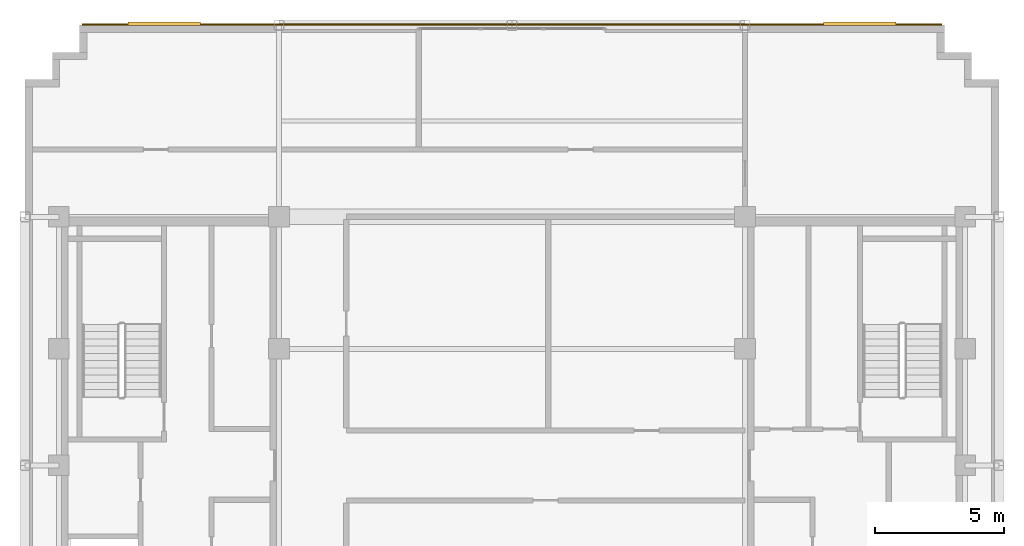
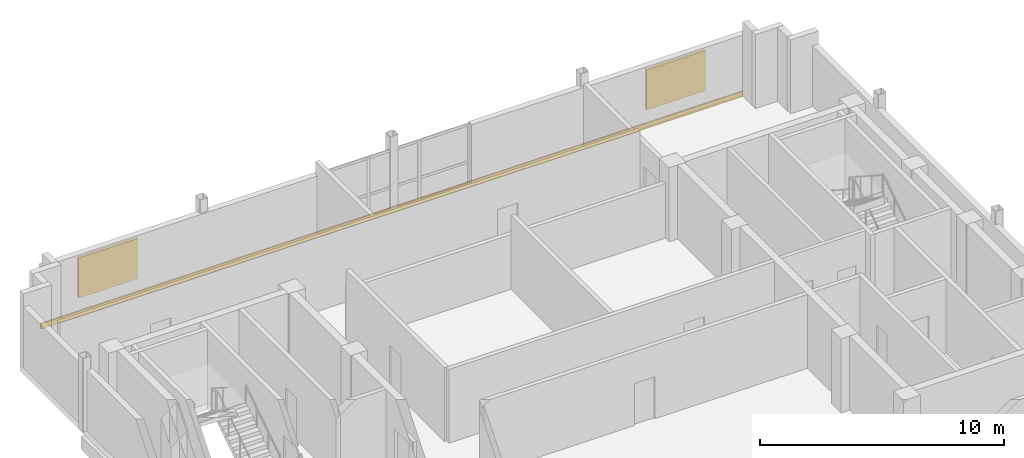
# One storey, part 10 of 10: 2 shading devices, 1 covering.
"""IFC4 building model written with IfcOpenShell, lengths in metres."""

from ifc_helpers import new_model, si_unit, direction, frame, origin, origin_2d, place, context, subcontext, project, spatial, rectangle, extrude, source, transform, mapped, material, layer, layer_set, type_object, type_shapes, element, save


model = new_model("IFC4")

# Units and contexts
model_context = context("Model", 3, precision=1e-05, world=origin(), true_north=direction((0.0, 1.0)))
body_context = subcontext(model_context, "Body", "Model", "MODEL_VIEW")
ifc_project = project(units=[si_unit("LENGTHUNIT", "METRE"), si_unit("AREAUNIT", "SQUARE_METRE"), si_unit("VOLUMEUNIT", "CUBIC_METRE"), si_unit("PLANEANGLEUNIT", "RADIAN"), si_unit("MASSUNIT", "GRAM", prefix="KILO")], contexts=[model_context])

# Site, building, storey
site_placement = place(None, origin())
site = spatial("IfcSite", under=ifc_project, at=site_placement, CompositionType="ELEMENT")
building_placement = place(site_placement, origin())
building = spatial("IfcBuilding", under=site, at=building_placement, Name="Nuvemarco Arch Tower", CompositionType="ELEMENT")
storey_placement = place(building_placement, frame((0.0, 0.0, 295.14990234375)))
storey = spatial("IfcBuildingStorey", under=building, at=storey_placement, Name="L78", CompositionType="ELEMENT", Elevation=295.14990234375)

# Shading devices
ifc_material_1 = material(Name="Anodised aluminium 6063-T6", Category="aluminium")
shading_device_type = type_object("IfcShadingDeviceType", Name="SHD-LOUVRE-PLANT", PredefinedType="JALOUSIE", material=ifc_material_1)
shared_shape_1 = source(origin(), body_context, "Body", "SweptSolid", [
    extrude(rectangle(XDim=2.800048828125, YDim=0.1201171875, at=origin_2d()), origin(), (0.0, 0.0, 1.0), 2.0),
])
type_shapes(shading_device_type, [shared_shape_1])
for number, where, z_axis, x_axis, name in (
    (1, (-13.425048828125, 17.054931640625, 0.650146484375), (0.0, 0.0, 1.0), (1.0, 0.0, 0.0), "L78 acoustic plant louvre panel 1"),
    (2, (13.425048828125, 17.054931640625, 0.650146484375), (0.0, 0.0, 1.0), (1.0, 0.0, 0.0), "L78 acoustic plant louvre panel 2"),
):
    element("IfcShadingDevice", number, at=place(storey_placement, frame(where, z_axis=z_axis, x_axis=x_axis)), inside=storey, type_object=shading_device_type, Name=name, PredefinedType="JALOUSIE", context=body_context, shape_type="MappedRepresentation", body=[
        mapped(shared_shape_1, transform((0.0, 0.0, 0.0), scale=1.0)),
    ])

# Covering
ifc_material_2 = material(Name="Precast concrete C45/55", Category="concrete")
ifc_layer = layer(ifc_material_2, 0.06005859375, Name="COV-SPANDREL-CLAD")
ifc_layer_set = layer_set([ifc_layer], Name="Precast concrete C45/55")
covering_type = type_object("IfcCoveringType", Name="COV-SPANDREL-CLAD", PredefinedType="CLADDING", material=ifc_layer_set)
shared_shape_2 = source(origin(), body_context, "Body", "SweptSolid", [
    extrude(rectangle(XDim=33.199951171875, YDim=0.06005859375, at=origin_2d()), origin(), (0.0, 0.0, 1.0), 0.280029296875),
])
type_shapes(covering_type, [shared_shape_2])
covering_placement = place(storey_placement, frame((0.0, 17.029052734375, -0.27978515625), z_axis=(0.0, 0.0, 1.0), x_axis=(1.0, 0.0, 0.0)))
element("IfcCovering", 3, at=covering_placement, inside=storey, type_object=covering_type, Name="L78 precast spandrel edge cladding north", PredefinedType="CLADDING", context=body_context, shape_type="MappedRepresentation", body=[
    mapped(shared_shape_2, transform((0.0, 0.0, 0.0), scale=1.0)),
])

save(model, "model.ifc")
